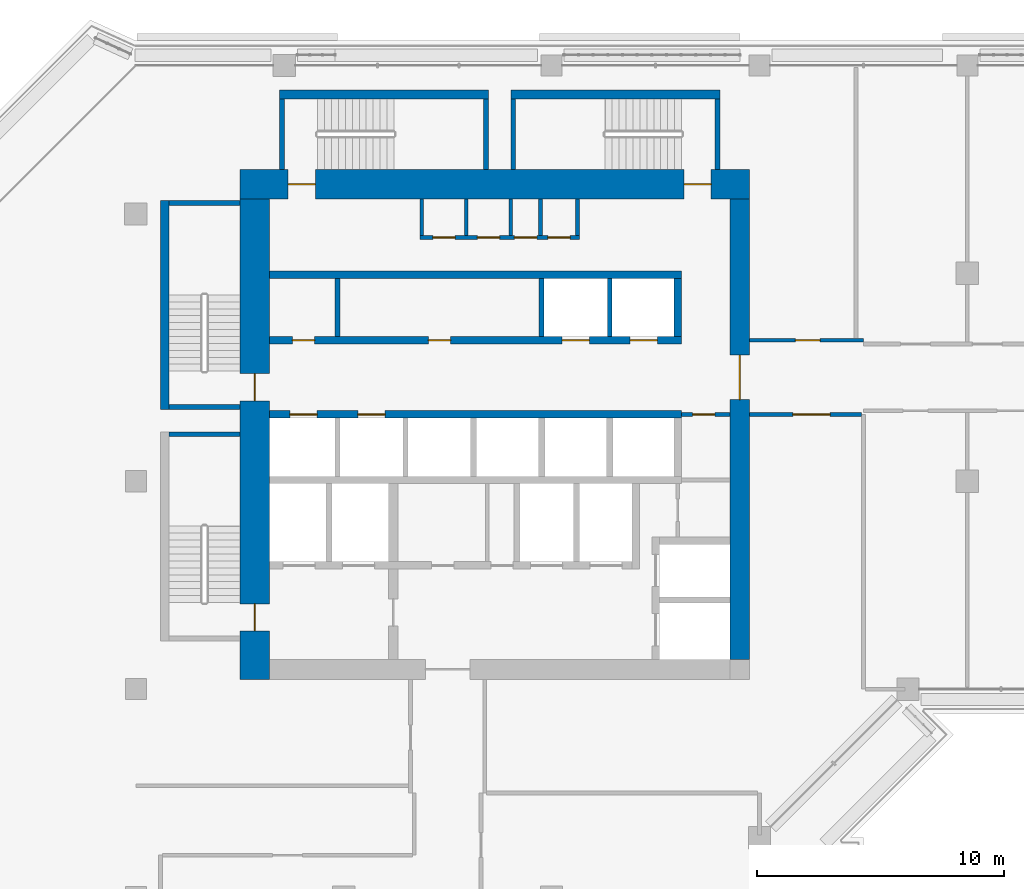
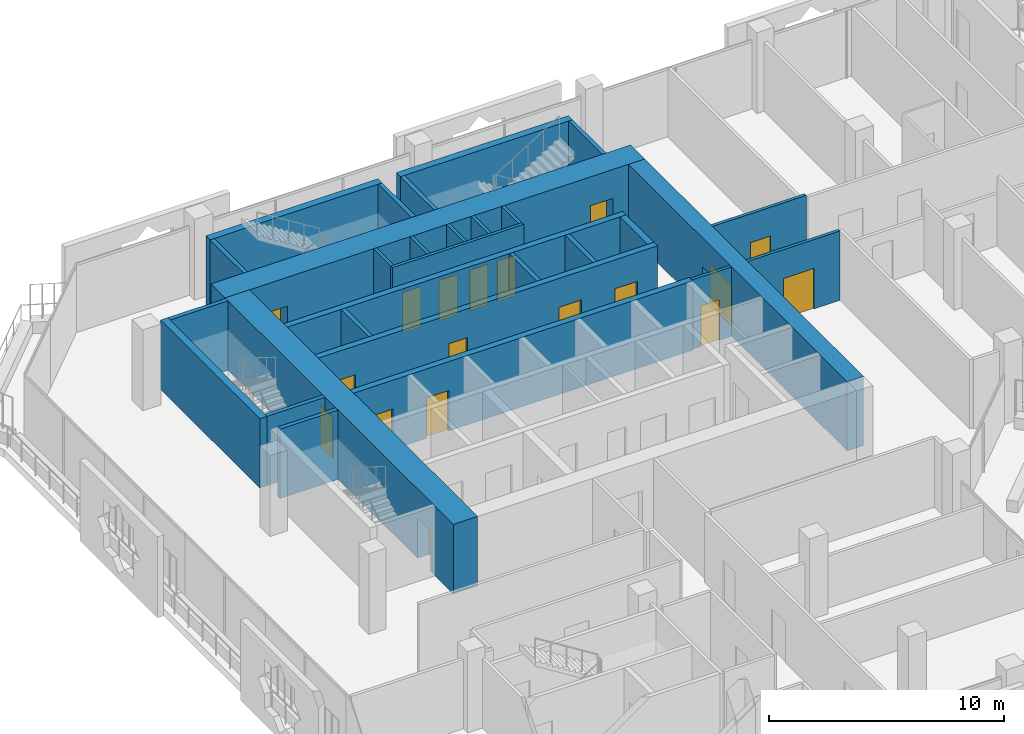
# One storey, part 11 of 21: 29 walls, 18 doors, 18 openings.
"""IFC4 building model written with IfcOpenShell, lengths in metres."""

import ifcopenshell
import ifcopenshell.guid

model = None  # the IFC model being written
_history = None  # IfcOwnerHistory: only IFC2X3 demands one
_inside = {}  # id of a spatial element -> (the spatial element, [elements in it])
_under = {}  # id of a project, library or spatial element -> (it, [spatial elements below it])
_declared = {}  # id of a project -> (the project, [libraries it declares])
_typed = {}  # id of a type object -> (the type object, [elements of that type])
_made_of = {}  # id of a material, layer set ... -> (it, [elements and type objects made of it])


def new_model(schema):
    """Start an empty IFC model of exactly this schema.

    Asked for "IFC4X3", IfcOpenShell would pick the latest addendum, in which some entities
    have other attributes; the version numbers below select the first issue.
    IFC2X3 requires an IfcOwnerHistory on every rooted entity: one is made here for all.
    """
    global model, _history
    if schema == "IFC4X3":
        model = ifcopenshell.file(schema_version=(4, 3, 0, 0))
    else:
        model = ifcopenshell.file(schema=schema)
    _inside.clear()
    _under.clear()
    _declared.clear()
    _typed.clear()
    _made_of.clear()
    _history = None
    if model.schema == "IFC2X3":
        org = make("IfcOrganization", Name="unknown")
        user = make(
            "IfcPersonAndOrganization",
            ThePerson=make("IfcPerson", FamilyName="unknown"),
            TheOrganization=org,
        )
        app = make(
            "IfcApplication",
            ApplicationDeveloper=org,
            Version="unknown",
            ApplicationFullName="unknown",
            ApplicationIdentifier="unknown",
        )
        _history = make(
            "IfcOwnerHistory",
            OwningUser=user,
            OwningApplication=app,
            ChangeAction="ADDED",
            CreationDate=0,
        )
    return model


def make(cls, **values):
    """One entity of the class cls with the attributes given. An attribute that is None is left unset."""
    return model.create_entity(
        cls, **{name: value for name, value in values.items() if value is not None}
    )


def rooted(cls, **values):
    """An entity with a GlobalId (a new one), such as an element, a storey or a relation."""
    return make(cls, GlobalId=ifcopenshell.guid.new(), OwnerHistory=_history, **values)


def si_unit(unit_type, name, prefix=None):
    """IfcSIUnit, for example si_unit("LENGTHUNIT", "METRE", prefix="MILLI")."""
    return make("IfcSIUnit", UnitType=unit_type, Prefix=prefix, Name=name)


def assignment(units):
    """IfcUnitAssignment: the units of a project."""
    return None if units is None else make("IfcUnitAssignment", Units=units)


def point(xyz):
    """IfcCartesianPoint."""
    return None if xyz is None else make("IfcCartesianPoint", Coordinates=xyz)


def direction(xyz):
    """IfcDirection."""
    return None if xyz is None else make("IfcDirection", DirectionRatios=xyz)


def frame(location, z_axis=None, x_axis=None):
    """IfcAxis2Placement3D, a coordinate frame: its origin and axes. An axis left out is left unset."""
    return make(
        "IfcAxis2Placement3D",
        Location=point(location),
        Axis=direction(z_axis),
        RefDirection=direction(x_axis),
    )


def frame_2d(location, x_axis=None):
    """IfcAxis2Placement2D, a coordinate frame in the plane: its origin and x axis."""
    return make(
        "IfcAxis2Placement2D", Location=point(location), RefDirection=direction(x_axis)
    )


def origin():
    """The frame at (0, 0, 0) with its axes left unset."""
    return frame((0.0, 0.0, 0.0))


def place(relative_to, where):
    """IfcLocalPlacement: puts the frame where relative to a parent placement (None: the world)."""
    return make(
        "IfcLocalPlacement", PlacementRelTo=relative_to, RelativePlacement=where
    )


def context(
    kind, dimensions, precision=None, world=None, true_north=None, identifier=None
):
    """IfcGeometricRepresentationContext, for example the 3D "Model" context."""
    return make(
        "IfcGeometricRepresentationContext",
        ContextIdentifier=identifier,
        ContextType=kind,
        CoordinateSpaceDimension=dimensions,
        Precision=precision,
        WorldCoordinateSystem=world,
        TrueNorth=true_north,
    )


def subcontext(parent, identifier, kind, view, scale=None):
    """IfcGeometricRepresentationSubContext, for example "Body" below "Model"."""
    return make(
        "IfcGeometricRepresentationSubContext",
        ContextIdentifier=identifier,
        ContextType=kind,
        ParentContext=parent,
        TargetScale=scale,
        TargetView=view,
    )


def project(units=None, contexts=None):
    """IfcProject with its units and contexts."""
    return rooted(
        "IfcProject",
        Name="project",
        RepresentationContexts=contexts,
        UnitsInContext=assignment(units),
    )


def spatial(cls, under=None, at=None, **own):
    """A site, building, storey or space (cls), placed at a placement, below another one or the project."""
    s = rooted(cls, ObjectPlacement=at, **own)
    if under is not None:
        _under.setdefault(under.id(), (under, []))[1].append(s)
    return s


def profile(cls, at=None, kind="AREA", **sizes):
    """A parametric profile (cls). Its sizes go by their IFC names, for example OverallWidth=200.0."""
    return make(cls, ProfileType=kind, Position=at, **sizes)


def rectangle(**sizes):
    """IfcRectangleProfileDef."""
    return profile("IfcRectangleProfileDef", **sizes)


def extrude(swept, where, along, depth):
    """IfcExtrudedAreaSolid: the profile swept, set in the frame where, extruded along a direction by depth."""
    return make(
        "IfcExtrudedAreaSolid",
        SweptArea=swept,
        Position=where,
        ExtrudedDirection=direction(along),
        Depth=depth,
    )


def shape(context_of_items, identifier, shape_type, items):
    """IfcShapeRepresentation: the items that make up one representation, for example the "Body"."""
    return make(
        "IfcShapeRepresentation",
        ContextOfItems=context_of_items,
        RepresentationIdentifier=identifier,
        RepresentationType=shape_type,
        Items=items,
    )


def material(Name=None, Category=None):
    """IfcMaterial."""
    return make("IfcMaterial", Name=Name, Category=Category)


def layer(
    of_material, thickness, ventilated=None, Name=None, Category=None, Priority=None
):
    """IfcMaterialLayer: one layer of a wall or slab, of a material (None: an air gap)."""
    return make(
        "IfcMaterialLayer",
        Material=of_material,
        LayerThickness=thickness,
        IsVentilated=ventilated,
        Name=Name,
        Category=Category,
        Priority=Priority,
    )


def layer_set(layers, Name=None):
    """IfcMaterialLayerSet."""
    return make("IfcMaterialLayerSet", MaterialLayers=layers, LayerSetName=Name)


def made_of(thing, what):
    """Note that an element or type object is made of a material, layer set ...; save() writes the relation."""
    if what is not None:
        _made_of.setdefault(what.id(), (what, []))[1].append(thing)
    return thing


def type_object(cls, material=None, **own):
    """A type object (cls), such as IfcWallType, which elements share."""
    return made_of(rooted(cls, **own), material)


def element(
    cls,
    number,
    at=None,
    inside=None,
    cuts=None,
    type_object=None,
    material=None,
    context=None,
    identifier="Body",
    shape_type=None,
    held_by="IfcProductDefinitionShape",
    body=None,
    shapes=None,
    **own,
):
    """One element of the class cls, such as IfcWall. Its Tag is "e" and its number.

    at: its placement. inside: the storey or other place that contains it. cuts: it is an
    opening in that element (IfcRelVoidsElement). A single representation is given by context,
    identifier, shape_type and body (its items); several are given by shapes. held_by: the class
    of the entity that holds the representations. save() writes the other relations.
    """
    e = rooted(cls, Tag="e%d" % number, ObjectPlacement=at, **own)
    if body is not None:
        shapes = [shape(context, identifier, shape_type, body)]
    if shapes is not None:
        e.Representation = make(held_by, Representations=shapes)
    if inside is not None:
        _inside.setdefault(inside.id(), (inside, []))[1].append(e)
    if cuts is not None:
        rooted(
            "IfcRelVoidsElement", RelatingBuildingElement=cuts, RelatedOpeningElement=e
        )
    if type_object is not None:
        _typed.setdefault(type_object.id(), (type_object, []))[1].append(e)
    return made_of(e, material)


def fill(opening, filler):
    """IfcRelFillsElement: the door or window that sits in an opening."""
    return rooted(
        "IfcRelFillsElement",
        RelatingOpeningElement=opening,
        RelatedBuildingElement=filler,
    )


def aggregate(whole, parts):
    """IfcRelAggregates: a whole, such as a stair, and the parts it consists of."""
    return rooted("IfcRelAggregates", RelatingObject=whole, RelatedObjects=parts)


def save(model, path):
    """Write the relations noted so far, then the file.

    IfcRelAggregates (storeys below a building ...), IfcRelContainedInSpatialStructure (elements
    in a storey), IfcRelDefinesByType, IfcRelAssociatesMaterial and IfcRelDeclares: one each for
    every whole, place, type object, material and project.
    """
    for whole, parts in _under.values():
        aggregate(whole, parts)
    for where, things in _inside.values():
        rooted(
            "IfcRelContainedInSpatialStructure",
            RelatedElements=things,
            RelatingStructure=where,
        )
    for kind, things in _typed.values():
        rooted("IfcRelDefinesByType", RelatedObjects=things, RelatingType=kind)
    for what, things in _made_of.values():
        rooted("IfcRelAssociatesMaterial", RelatedObjects=things, RelatingMaterial=what)
    for by, libraries in _declared.values():
        rooted("IfcRelDeclares", RelatingContext=by, RelatedDefinitions=libraries)
    model.write(path)


model = new_model("IFC4")

# Units and contexts
model_context = context("Model", 3, precision=1e-05, world=origin(), true_north=direction((0.0, 1.0)))
body_context = subcontext(model_context, "Body", "Model", "MODEL_VIEW")
ifc_project = project(units=[si_unit("LENGTHUNIT", "METRE"), si_unit("AREAUNIT", "SQUARE_METRE"), si_unit("VOLUMEUNIT", "CUBIC_METRE"), si_unit("PLANEANGLEUNIT", "RADIAN"), si_unit("MASSUNIT", "GRAM", prefix="KILO")], contexts=[model_context])

# Site, building, storey
site_placement = place(None, origin())
site = spatial("IfcSite", under=ifc_project, at=site_placement, CompositionType="ELEMENT")
building_placement = place(site_placement, origin())
building = spatial("IfcBuilding", under=site, at=building_placement, Name="Kawkab Arch Medical Tower", CompositionType="ELEMENT")
storey_placement = place(building_placement, frame((0.0, 0.0, 243.199951171875)))
storey = spatial("IfcBuildingStorey", under=building, at=storey_placement, Name="L56", CompositionType="ELEMENT", Elevation=243.199951171875)

# Wall, openings, doors
ifc_material_1 = material(Name="Concrete C50/60", Category="concrete")
ifc_layer_1 = layer(ifc_material_1, 1.199951171875)
ifc_layer_set_1 = layer_set([ifc_layer_1], Name="Concrete C50/60")
wall_type_1 = type_object("IfcWallType", Name="Core ring wall 1200 C50/60", PredefinedType="SHEAR", material=ifc_layer_set_1)
wall_1_placement = place(storey_placement, frame((4.199951171875, -4.800048828125, 0.0), z_axis=(0.0, 0.0, 1.0), x_axis=(1.0, 0.0, 0.0)))
wall_1 = element("IfcWall", 1, at=wall_1_placement, inside=storey, type_object=wall_type_1, Name="L56 core wall", PredefinedType="SHEAR", context=body_context, shape_type="SweptSolid", body=[
    extrude(rectangle(XDim=20.60009765625, YDim=1.199951171875, at=frame_2d((10.300048828125, 0.0))), origin(), (0.0, 0.0, 1.0), 3.60009765625),
])
opening_1_placement = place(wall_1_placement, frame((1.949951171875, 0.0, 0.0)))
opening_1 = element("IfcOpeningElement", 2, at=opening_1_placement, cuts=wall_1, Name="Opening SD", PredefinedType="OPENING", context=body_context, shape_type="SweptSolid", body=[
    extrude(rectangle(XDim=1.10009765625, YDim=2.10009765625, at=frame_2d((0.550048828125, 1.050048828125))), frame((0.0, 0.60986328125, 0.0), z_axis=(0.0, -1.0, 0.0), x_axis=(1.0, 0.0, 0.0)), (0.0, 0.0, 1.0), 1.219970703125),
])
opening_2_placement = place(wall_1_placement, frame((17.949951171875, 0.0, 0.0)))
opening_2 = element("IfcOpeningElement", 3, at=opening_2_placement, cuts=wall_1, Name="Opening SD", PredefinedType="OPENING", context=body_context, shape_type="SweptSolid", body=[
    extrude(rectangle(XDim=1.10009765625, YDim=2.10009765625, at=frame_2d((0.550048828125, 1.050048828125))), frame((0.0, 0.60986328125, 0.0), z_axis=(0.0, -1.0, 0.0), x_axis=(1.0, 0.0, 0.0)), (0.0, 0.0, 1.0), 1.219970703125),
])
ifc_material_2 = material(Name="Hollow metal fire door leaf")
door_type_1 = type_object("IfcDoorType", Name="Exit stair door 1100", OperationType="SINGLE_SWING_LEFT", PredefinedType="DOOR", material=ifc_material_2)
door_1_placement = place(opening_1_placement, origin())
door_1 = element("IfcDoor", 4, at=door_1_placement, inside=storey, type_object=door_type_1, Name="L56 Exit stair ST3 door", OperationType="SINGLE_SWING_LEFT", OverallHeight=2.10009765625, OverallWidth=1.10009765625, PredefinedType="DOOR", context=body_context, shape_type="SweptSolid", body=[
    extrude(rectangle(XDim=1.10009765625, YDim=2.10009765625, at=frame_2d((0.550048828125, 1.050048828125))), frame((0.0, 0.02490234375, 0.0), z_axis=(0.0, -1.0, 0.0), x_axis=(1.0, 0.0, 0.0)), (0.0, 0.0, 1.0), 0.050048828125),
])
fill(opening_1, door_1)
door_2_placement = place(opening_2_placement, origin())
door_2 = element("IfcDoor", 5, at=door_2_placement, inside=storey, type_object=door_type_1, Name="L56 Exit stair ST4 door", OperationType="SINGLE_SWING_LEFT", OverallHeight=2.10009765625, OverallWidth=1.10009765625, PredefinedType="DOOR", context=body_context, shape_type="SweptSolid", body=[
    extrude(rectangle(XDim=1.10009765625, YDim=2.10009765625, at=frame_2d((0.550048828125, 1.050048828125))), frame((0.0, 0.02490234375, 0.0), z_axis=(0.0, -1.0, 0.0), x_axis=(1.0, 0.0, 0.0)), (0.0, 0.0, 1.0), 0.050048828125),
])
fill(opening_2, door_2)

wall_2_placement = place(storey_placement, frame((4.800048828125, -24.800048828125, 0.0), z_axis=(0.0, 0.0, 1.0), x_axis=(0.0, 1.0, 0.0)))
wall_2 = element("IfcWall", 6, at=wall_2_placement, inside=storey, type_object=wall_type_1, Name="L56 core wall", PredefinedType="SHEAR", context=body_context, shape_type="SweptSolid", body=[
    extrude(rectangle(XDim=19.400146484375, YDim=1.199951171875, at=frame_2d((9.7001953125, 0.0))), origin(), (0.0, 0.0, 1.0), 3.60009765625),
])
opening_3_placement = place(wall_2_placement, frame((11.25, 0.0, 0.0)))
opening_3 = element("IfcOpeningElement", 7, at=opening_3_placement, cuts=wall_2, Name="Opening SD", PredefinedType="OPENING", context=body_context, shape_type="SweptSolid", body=[
    extrude(rectangle(XDim=1.10009765625, YDim=2.10009765625, at=frame_2d((0.550048828125, 1.050048828125))), frame((0.0, 0.60986328125, 0.0), z_axis=(0.0, -1.0, 0.0), x_axis=(1.0, 0.0, 0.0)), (0.0, 0.0, 1.0), 1.219970703125),
])
opening_4_placement = place(wall_2_placement, frame((1.949951171875, 0.0, 0.0)))
opening_4 = element("IfcOpeningElement", 8, at=opening_4_placement, cuts=wall_2, Name="Opening SD", PredefinedType="OPENING", context=body_context, shape_type="SweptSolid", body=[
    extrude(rectangle(XDim=1.10009765625, YDim=2.10009765625, at=frame_2d((0.550048828125, 1.050048828125))), frame((0.0, 0.60986328125, 0.0), z_axis=(0.0, -1.0, 0.0), x_axis=(1.0, 0.0, 0.0)), (0.0, 0.0, 1.0), 1.219970703125),
])
door_3_placement = place(opening_3_placement, origin())
door_3 = element("IfcDoor", 9, at=door_3_placement, inside=storey, type_object=door_type_1, Name="L56 Exit stair ST1 door", OperationType="SINGLE_SWING_LEFT", OverallHeight=2.10009765625, OverallWidth=1.10009765625, PredefinedType="DOOR", context=body_context, shape_type="SweptSolid", body=[
    extrude(rectangle(XDim=1.10009765625, YDim=2.10009765625, at=frame_2d((0.550048828125, 1.050048828125))), frame((0.0, 0.02490234375, 0.0), z_axis=(0.0, -1.0, 0.0), x_axis=(1.0, 0.0, 0.0)), (0.0, 0.0, 1.0), 0.050048828125),
])
fill(opening_3, door_3)
door_4_placement = place(opening_4_placement, origin())
door_4 = element("IfcDoor", 10, at=door_4_placement, inside=storey, type_object=door_type_1, Name="L56 Exit stair ST2 door", OperationType="SINGLE_SWING_LEFT", OverallHeight=2.10009765625, OverallWidth=1.10009765625, PredefinedType="DOOR", context=body_context, shape_type="SweptSolid", body=[
    extrude(rectangle(XDim=1.10009765625, YDim=2.10009765625, at=frame_2d((0.550048828125, 1.050048828125))), frame((0.0, 0.02490234375, 0.0), z_axis=(0.0, -1.0, 0.0), x_axis=(1.0, 0.0, 0.0)), (0.0, 0.0, 1.0), 0.050048828125),
])
fill(opening_4, door_4)

# Wall, opening, door
ifc_material_3 = material(Name="Concrete C50/60", Category="concrete")
ifc_layer_2 = layer(ifc_material_3, 0.800048828125)
ifc_layer_set_2 = layer_set([ifc_layer_2], Name="Concrete C50/60")
wall_type_2 = type_object("IfcWallType", Name="Core ring wall 800 C50/60", PredefinedType="SHEAR", material=ifc_layer_set_2)
wall_3_placement = place(storey_placement, frame((24.39990234375, -24.0, 0.0), z_axis=(0.0, 0.0, 1.0), x_axis=(0.0, 1.0, 0.0)))
wall_3 = element("IfcWall", 11, at=wall_3_placement, inside=storey, type_object=wall_type_2, Name="L56 core wall", PredefinedType="SHEAR", context=body_context, shape_type="SweptSolid", body=[
    extrude(rectangle(XDim=18.60009765625, YDim=0.800048828125, at=frame_2d((9.300048828125, 0.0))), origin(), (0.0, 0.0, 1.0), 3.60009765625),
])
opening_5_placement = place(wall_3_placement, frame((10.5, 0.0, 0.0)))
opening_5 = element("IfcOpeningElement", 12, at=opening_5_placement, cuts=wall_3, Name="Opening PD", PredefinedType="OPENING", context=body_context, shape_type="SweptSolid", body=[
    extrude(rectangle(XDim=1.800048828125, YDim=2.10009765625, at=frame_2d((0.89990234375, 1.050048828125))), frame((0.0, 0.409912109375, 0.0), z_axis=(0.0, -1.0, 0.0), x_axis=(1.0, 0.0, 0.0)), (0.0, 0.0, 1.0), 0.820068359375),
])
ifc_material_4 = material(Name="Hollow metal fire door leaf")
door_type_2 = type_object("IfcDoorType", Name="Core entrance doors 1800", OperationType="DOUBLE_DOOR_SINGLE_SWING", PredefinedType="DOOR", material=ifc_material_4)
door_5_placement = place(opening_5_placement, origin())
door_5 = element("IfcDoor", 13, at=door_5_placement, inside=storey, type_object=door_type_2, Name="L56 East entrance doors", OperationType="DOUBLE_DOOR_SINGLE_SWING", OverallHeight=2.10009765625, OverallWidth=1.800048828125, PredefinedType="DOOR", context=body_context, shape_type="SweptSolid", body=[
    extrude(rectangle(XDim=1.800048828125, YDim=2.10009765625, at=frame_2d((0.89990234375, 1.050048828125))), frame((0.0, 0.02490234375, 0.0), z_axis=(0.0, -1.0, 0.0), x_axis=(1.0, 0.0, 0.0)), (0.0, 0.0, 1.0), 0.050048828125),
])
fill(opening_5, door_5)

ifc_material_5 = material(Name="Gypsum board on steel studs", Category="steel")
ifc_layer_3 = layer(ifc_material_5, 0.14990234375)
ifc_layer_set_3 = layer_set([ifc_layer_3], Name="Gypsum board on steel studs")
wall_type_3 = type_object("IfcWallType", Name="Core room partition 150", PredefinedType="PARTITIONING", material=ifc_layer_set_3)
wall_4_placement = place(storey_placement, frame((22.050048828125, -14.10009765625, 0.0), z_axis=(0.0, 0.0, 1.0), x_axis=(1.0, 0.0, 0.0)))
wall_4 = element("IfcWall", 14, at=wall_4_placement, inside=storey, type_object=wall_type_3, Name="L56 core room partition", PredefinedType="PARTITIONING", context=body_context, shape_type="SweptSolid", body=[
    extrude(rectangle(XDim=1.949951171875, YDim=0.14990234375, at=frame_2d((0.97509765625, 0.0))), origin(), (0.0, 0.0, 1.0), 3.60009765625),
])
opening_6_placement = place(wall_4_placement, frame((0.449951171875, 0.0, 0.0)))
opening_6 = element("IfcOpeningElement", 15, at=opening_6_placement, cuts=wall_4, Name="Opening RD", PredefinedType="OPENING", context=body_context, shape_type="SweptSolid", body=[
    extrude(rectangle(XDim=0.89990234375, YDim=2.10009765625, at=frame_2d((0.449951171875, 1.050048828125))), frame((0.0, 0.0849609375, 0.0), z_axis=(0.0, -1.0, 0.0), x_axis=(1.0, 0.0, 0.0)), (0.0, 0.0, 1.0), 0.169921875),
])
ifc_material_6 = material(Name="Hollow metal fire door leaf")
door_type_3 = type_object("IfcDoorType", Name="Core room door 900", OperationType="SINGLE_SWING_LEFT", PredefinedType="DOOR", material=ifc_material_6)
door_6_placement = place(opening_6_placement, origin())
door_6 = element("IfcDoor", 16, at=door_6_placement, inside=storey, type_object=door_type_3, Name="L56 UPS room door", OperationType="SINGLE_SWING_LEFT", OverallHeight=2.10009765625, OverallWidth=0.89990234375, PredefinedType="DOOR", context=body_context, shape_type="SweptSolid", body=[
    extrude(rectangle(XDim=0.89990234375, YDim=2.10009765625, at=frame_2d((0.449951171875, 1.050048828125))), frame((0.0, 0.02490234375, 0.0), z_axis=(0.0, -1.0, 0.0), x_axis=(1.0, 0.0, 0.0)), (0.0, 0.0, 1.0), 0.050048828125),
])
fill(opening_6, door_6)

# Wall, openings, doors
wall_5_placement = place(storey_placement, frame((11.47509765625, -6.949951171875, 0.0), z_axis=(0.0, 0.0, 1.0), x_axis=(1.0, 0.0, 0.0)))
wall_5 = element("IfcWall", 17, at=wall_5_placement, inside=storey, type_object=wall_type_3, Name="L56 core room partition", PredefinedType="PARTITIONING", context=body_context, shape_type="SweptSolid", body=[
    extrude(rectangle(XDim=6.449951171875, YDim=0.14990234375, at=frame_2d((3.22509765625, 0.0))), origin(), (0.0, 0.0, 1.0), 3.60009765625),
])
opening_7_placement = place(wall_5_placement, frame((0.52490234375, 0.0, 0.0)))
opening_7 = element("IfcOpeningElement", 18, at=opening_7_placement, cuts=wall_5, Name="Opening RD", PredefinedType="OPENING", context=body_context, shape_type="SweptSolid", body=[
    extrude(rectangle(XDim=0.89990234375, YDim=2.10009765625, at=frame_2d((0.449951171875, 1.050048828125))), frame((0.0, 0.0849609375, 0.0), z_axis=(0.0, -1.0, 0.0), x_axis=(1.0, 0.0, 0.0)), (0.0, 0.0, 1.0), 0.169921875),
])
opening_8_placement = place(wall_5_placement, frame((2.324951171875, 0.0, 0.0)))
opening_8 = element("IfcOpeningElement", 19, at=opening_8_placement, cuts=wall_5, Name="Opening RD", PredefinedType="OPENING", context=body_context, shape_type="SweptSolid", body=[
    extrude(rectangle(XDim=0.89990234375, YDim=2.10009765625, at=frame_2d((0.449951171875, 1.050048828125))), frame((0.0, 0.0849609375, 0.0), z_axis=(0.0, -1.0, 0.0), x_axis=(1.0, 0.0, 0.0)), (0.0, 0.0, 1.0), 0.169921875),
])
opening_9_placement = place(wall_5_placement, frame((3.824951171875, 0.0, 0.0)))
opening_9 = element("IfcOpeningElement", 20, at=opening_9_placement, cuts=wall_5, Name="Opening RD", PredefinedType="OPENING", context=body_context, shape_type="SweptSolid", body=[
    extrude(rectangle(XDim=0.89990234375, YDim=2.10009765625, at=frame_2d((0.449951171875, 1.050048828125))), frame((0.0, 0.0849609375, 0.0), z_axis=(0.0, -1.0, 0.0), x_axis=(1.0, 0.0, 0.0)), (0.0, 0.0, 1.0), 0.169921875),
])
opening_10_placement = place(wall_5_placement, frame((5.175048828125, 0.0, 0.0)))
opening_10 = element("IfcOpeningElement", 21, at=opening_10_placement, cuts=wall_5, Name="Opening RD", PredefinedType="OPENING", context=body_context, shape_type="SweptSolid", body=[
    extrude(rectangle(XDim=0.89990234375, YDim=2.10009765625, at=frame_2d((0.449951171875, 1.050048828125))), frame((0.0, 0.0849609375, 0.0), z_axis=(0.0, -1.0, 0.0), x_axis=(1.0, 0.0, 0.0)), (0.0, 0.0, 1.0), 0.169921875),
])
door_7_placement = place(opening_7_placement, origin())
door_7 = element("IfcDoor", 22, at=door_7_placement, inside=storey, type_object=door_type_3, Name="L56 Linen store door", OperationType="SINGLE_SWING_LEFT", OverallHeight=2.10009765625, OverallWidth=0.89990234375, PredefinedType="DOOR", context=body_context, shape_type="SweptSolid", body=[
    extrude(rectangle(XDim=0.89990234375, YDim=2.10009765625, at=frame_2d((0.449951171875, 1.050048828125))), frame((0.0, 0.02490234375, 0.0), z_axis=(0.0, -1.0, 0.0), x_axis=(1.0, 0.0, 0.0)), (0.0, 0.0, 1.0), 0.050048828125),
])
fill(opening_7, door_7)
door_8_placement = place(opening_8_placement, origin())
door_8 = element("IfcDoor", 23, at=door_8_placement, inside=storey, type_object=door_type_3, Name="L56 Comms room door", OperationType="SINGLE_SWING_LEFT", OverallHeight=2.10009765625, OverallWidth=0.89990234375, PredefinedType="DOOR", context=body_context, shape_type="SweptSolid", body=[
    extrude(rectangle(XDim=0.89990234375, YDim=2.10009765625, at=frame_2d((0.449951171875, 1.050048828125))), frame((0.0, 0.02490234375, 0.0), z_axis=(0.0, -1.0, 0.0), x_axis=(1.0, 0.0, 0.0)), (0.0, 0.0, 1.0), 0.050048828125),
])
fill(opening_8, door_8)
door_9_placement = place(opening_9_placement, origin())
door_9 = element("IfcDoor", 24, at=door_9_placement, inside=storey, type_object=door_type_3, Name="L56 Electrical riser room door", OperationType="SINGLE_SWING_LEFT", OverallHeight=2.10009765625, OverallWidth=0.89990234375, PredefinedType="DOOR", context=body_context, shape_type="SweptSolid", body=[
    extrude(rectangle(XDim=0.89990234375, YDim=2.10009765625, at=frame_2d((0.449951171875, 1.050048828125))), frame((0.0, 0.02490234375, 0.0), z_axis=(0.0, -1.0, 0.0), x_axis=(1.0, 0.0, 0.0)), (0.0, 0.0, 1.0), 0.050048828125),
])
fill(opening_9, door_9)
door_10_placement = place(opening_10_placement, origin())
door_10 = element("IfcDoor", 25, at=door_10_placement, inside=storey, type_object=door_type_3, Name="L56 Ward pantry door", OperationType="SINGLE_SWING_LEFT", OverallHeight=2.10009765625, OverallWidth=0.89990234375, PredefinedType="DOOR", context=body_context, shape_type="SweptSolid", body=[
    extrude(rectangle(XDim=0.89990234375, YDim=2.10009765625, at=frame_2d((0.449951171875, 1.050048828125))), frame((0.0, 0.02490234375, 0.0), z_axis=(0.0, -1.0, 0.0), x_axis=(1.0, 0.0, 0.0)), (0.0, 0.0, 1.0), 0.050048828125),
])
fill(opening_10, door_10)

# Walls
for number, where, z_axis, x_axis, name in (
    (26, (11.550048828125, -6.875, 0.0), (0.0, 0.0, 1.0), (0.0, 1.0, 0.0), "L56 core room partition"),
    (27, (13.35009765625, -6.875, 0.0), (0.0, 0.0, 1.0), (0.0, 1.0, 0.0), "L56 core room partition"),
    (28, (15.14990234375, -6.875, 0.0), (0.0, 0.0, 1.0), (0.0, 1.0, 0.0), "L56 core room partition"),
    (29, (16.35009765625, -6.875, 0.0), (0.0, 0.0, 1.0), (0.0, 1.0, 0.0), "L56 core room partition"),
    (30, (17.85009765625, -6.875, 0.0), (0.0, 0.0, 1.0), (0.0, 1.0, 0.0), "L56 core room partition"),
):
    element("IfcWall", number, at=place(storey_placement, frame(where, z_axis=z_axis, x_axis=x_axis)), inside=storey, type_object=wall_type_3, Name=name, PredefinedType="PARTITIONING", context=body_context, shape_type="SweptSolid", body=[
        extrude(rectangle(XDim=1.47509765625, YDim=0.14990234375, at=frame_2d((0.737548828125, 0.0))), origin(), (0.0, 0.0, 1.0), 3.60009765625),
    ])
ifc_material_7 = material(Name="Concrete C60/75", Category="concrete")
ifc_layer_4 = layer(ifc_material_7, 0.300048828125)
ifc_layer_set_4 = layer_set([ifc_layer_4], Name="Concrete C60/75")
wall_type_4 = type_object("IfcWallType", Name="Core shear wall 300 C60/75", PredefinedType="SHEAR", material=ifc_layer_set_4)
wall_6_placement = place(storey_placement, frame((5.39990234375, -8.449951171875, 0.0), z_axis=(0.0, 0.0, 1.0), x_axis=(1.0, 0.0, 0.0)))
element("IfcWall", 31, at=wall_6_placement, inside=storey, type_object=wall_type_4, Name="L56 core shear wall", PredefinedType="SHEAR", context=body_context, shape_type="SweptSolid", body=[
    extrude(rectangle(XDim=16.650146484375, YDim=0.300048828125, at=frame_2d((8.3251953125, 0.0))), origin(), (0.0, 0.0, 1.0), 3.60009765625),
])

# Wall, openings, doors
wall_7_placement = place(storey_placement, frame((5.39990234375, -11.10009765625, 0.0), z_axis=(0.0, 0.0, 1.0), x_axis=(1.0, 0.0, 0.0)))
wall_7 = element("IfcWall", 32, at=wall_7_placement, inside=storey, type_object=wall_type_4, Name="L56 core shear wall", PredefinedType="SHEAR", context=body_context, shape_type="SweptSolid", body=[
    extrude(rectangle(XDim=16.650146484375, YDim=0.300048828125, at=frame_2d((8.3251953125, 0.0))), origin(), (0.0, 0.0, 1.0), 3.60009765625),
])
opening_11_placement = place(wall_7_placement, frame((11.824951171875, 0.0, 0.0)))
opening_11 = element("IfcOpeningElement", 33, at=opening_11_placement, cuts=wall_7, Name="Opening LD1", PredefinedType="OPENING", context=body_context, shape_type="SweptSolid", body=[
    extrude(rectangle(XDim=1.10009765625, YDim=2.10009765625, at=frame_2d((0.550048828125, 1.050048828125))), frame((0.0, 0.159912109375, 0.0), z_axis=(0.0, -1.0, 0.0), x_axis=(1.0, 0.0, 0.0)), (0.0, 0.0, 1.0), 0.320068359375),
])
opening_12_placement = place(wall_7_placement, frame((14.574951171875, 0.0, 0.0)))
opening_12 = element("IfcOpeningElement", 34, at=opening_12_placement, cuts=wall_7, Name="Opening LD1", PredefinedType="OPENING", context=body_context, shape_type="SweptSolid", body=[
    extrude(rectangle(XDim=1.10009765625, YDim=2.10009765625, at=frame_2d((0.550048828125, 1.050048828125))), frame((0.0, 0.159912109375, 0.0), z_axis=(0.0, -1.0, 0.0), x_axis=(1.0, 0.0, 0.0)), (0.0, 0.0, 1.0), 0.320068359375),
])
opening_13_placement = place(wall_7_placement, frame((0.925048828125, 0.0, 0.0)))
opening_13 = element("IfcOpeningElement", 35, at=opening_13_placement, cuts=wall_7, Name="Opening RD", PredefinedType="OPENING", context=body_context, shape_type="SweptSolid", body=[
    extrude(rectangle(XDim=0.89990234375, YDim=2.10009765625, at=frame_2d((0.449951171875, 1.050048828125))), frame((0.0, 0.159912109375, 0.0), z_axis=(0.0, -1.0, 0.0), x_axis=(1.0, 0.0, 0.0)), (0.0, 0.0, 1.0), 0.320068359375),
])
opening_14_placement = place(wall_7_placement, frame((6.425048828125, 0.0, 0.0)))
opening_14 = element("IfcOpeningElement", 36, at=opening_14_placement, cuts=wall_7, Name="Opening RD", PredefinedType="OPENING", context=body_context, shape_type="SweptSolid", body=[
    extrude(rectangle(XDim=0.89990234375, YDim=2.10009765625, at=frame_2d((0.449951171875, 1.050048828125))), frame((0.0, 0.159912109375, 0.0), z_axis=(0.0, -1.0, 0.0), x_axis=(1.0, 0.0, 0.0)), (0.0, 0.0, 1.0), 0.320068359375),
])
door_11_placement = place(opening_13_placement, origin())
door_11 = element("IfcDoor", 37, at=door_11_placement, inside=storey, type_object=door_type_3, Name="L56 Linen store door", OperationType="SINGLE_SWING_LEFT", OverallHeight=2.10009765625, OverallWidth=0.89990234375, PredefinedType="DOOR", context=body_context, shape_type="SweptSolid", body=[
    extrude(rectangle(XDim=0.89990234375, YDim=2.10009765625, at=frame_2d((0.449951171875, 1.050048828125))), frame((0.0, 0.02490234375, 0.0), z_axis=(0.0, -1.0, 0.0), x_axis=(1.0, 0.0, 0.0)), (0.0, 0.0, 1.0), 0.050048828125),
])
fill(opening_13, door_11)
door_12_placement = place(opening_14_placement, origin())
door_12 = element("IfcDoor", 38, at=door_12_placement, inside=storey, type_object=door_type_3, Name="L56 Housekeeping store door", OperationType="SINGLE_SWING_LEFT", OverallHeight=2.10009765625, OverallWidth=0.89990234375, PredefinedType="DOOR", context=body_context, shape_type="SweptSolid", body=[
    extrude(rectangle(XDim=0.89990234375, YDim=2.10009765625, at=frame_2d((0.449951171875, 1.050048828125))), frame((0.0, 0.02490234375, 0.0), z_axis=(0.0, -1.0, 0.0), x_axis=(1.0, 0.0, 0.0)), (0.0, 0.0, 1.0), 0.050048828125),
])
fill(opening_14, door_12)
ifc_material_8 = material(Name="Stainless steel lift door leaf", Category="steel")
door_type_4 = type_object("IfcDoorType", Name="Lift landing door 1100", OperationType="DOUBLE_DOOR_SLIDING", PredefinedType="DOOR", material=ifc_material_8)
door_13_placement = place(opening_11_placement, origin())
door_13 = element("IfcDoor", 39, at=door_13_placement, inside=storey, type_object=door_type_4, Name="L56 Lift landing door MP1", OperationType="DOUBLE_DOOR_SLIDING", OverallHeight=2.10009765625, OverallWidth=1.10009765625, PredefinedType="DOOR", context=body_context, shape_type="SweptSolid", body=[
    extrude(rectangle(XDim=1.10009765625, YDim=2.10009765625, at=frame_2d((0.550048828125, 1.050048828125))), frame((0.0, 0.02490234375, 0.0), z_axis=(0.0, -1.0, 0.0), x_axis=(1.0, 0.0, 0.0)), (0.0, 0.0, 1.0), 0.050048828125),
])
fill(opening_11, door_13)
door_14_placement = place(opening_12_placement, origin())
door_14 = element("IfcDoor", 40, at=door_14_placement, inside=storey, type_object=door_type_4, Name="L56 Lift landing door MP2", OperationType="DOUBLE_DOOR_SLIDING", OverallHeight=2.10009765625, OverallWidth=1.10009765625, PredefinedType="DOOR", context=body_context, shape_type="SweptSolid", body=[
    extrude(rectangle(XDim=1.10009765625, YDim=2.10009765625, at=frame_2d((0.550048828125, 1.050048828125))), frame((0.0, 0.02490234375, 0.0), z_axis=(0.0, -1.0, 0.0), x_axis=(1.0, 0.0, 0.0)), (0.0, 0.0, 1.0), 0.050048828125),
])
fill(opening_12, door_14)

wall_8_placement = place(storey_placement, frame((5.39990234375, -14.10009765625, 0.0), z_axis=(0.0, 0.0, 1.0), x_axis=(1.0, 0.0, 0.0)))
wall_8 = element("IfcWall", 41, at=wall_8_placement, inside=storey, type_object=wall_type_4, Name="L56 core shear wall", PredefinedType="SHEAR", context=body_context, shape_type="SweptSolid", body=[
    extrude(rectangle(XDim=16.650146484375, YDim=0.300048828125, at=frame_2d((8.3251953125, 0.0))), origin(), (0.0, 0.0, 1.0), 3.60009765625),
])
opening_15_placement = place(wall_8_placement, frame((0.824951171875, 0.0, 0.0)))
opening_15 = element("IfcOpeningElement", 42, at=opening_15_placement, cuts=wall_8, Name="Opening LD1", PredefinedType="OPENING", context=body_context, shape_type="SweptSolid", body=[
    extrude(rectangle(XDim=1.10009765625, YDim=2.10009765625, at=frame_2d((0.550048828125, 1.050048828125))), frame((0.0, 0.159912109375, 0.0), z_axis=(0.0, -1.0, 0.0), x_axis=(1.0, 0.0, 0.0)), (0.0, 0.0, 1.0), 0.320068359375),
])
opening_16_placement = place(wall_8_placement, frame((3.574951171875, 0.0, 0.0)))
opening_16 = element("IfcOpeningElement", 43, at=opening_16_placement, cuts=wall_8, Name="Opening LD1", PredefinedType="OPENING", context=body_context, shape_type="SweptSolid", body=[
    extrude(rectangle(XDim=1.10009765625, YDim=2.10009765625, at=frame_2d((0.550048828125, 1.050048828125))), frame((0.0, 0.159912109375, 0.0), z_axis=(0.0, -1.0, 0.0), x_axis=(1.0, 0.0, 0.0)), (0.0, 0.0, 1.0), 0.320068359375),
])
door_15_placement = place(opening_15_placement, origin())
door_15 = element("IfcDoor", 44, at=door_15_placement, inside=storey, type_object=door_type_4, Name="L56 Lift landing door MP3", OperationType="DOUBLE_DOOR_SLIDING", OverallHeight=2.10009765625, OverallWidth=1.10009765625, PredefinedType="DOOR", context=body_context, shape_type="SweptSolid", body=[
    extrude(rectangle(XDim=1.10009765625, YDim=2.10009765625, at=frame_2d((0.550048828125, 1.050048828125))), frame((0.0, 0.02490234375, 0.0), z_axis=(0.0, -1.0, 0.0), x_axis=(1.0, 0.0, 0.0)), (0.0, 0.0, 1.0), 0.050048828125),
])
fill(opening_15, door_15)
door_16_placement = place(opening_16_placement, origin())
door_16 = element("IfcDoor", 45, at=door_16_placement, inside=storey, type_object=door_type_4, Name="L56 Lift landing door MP4", OperationType="DOUBLE_DOOR_SLIDING", OverallHeight=2.10009765625, OverallWidth=1.10009765625, PredefinedType="DOOR", context=body_context, shape_type="SweptSolid", body=[
    extrude(rectangle(XDim=1.10009765625, YDim=2.10009765625, at=frame_2d((0.550048828125, 1.050048828125))), frame((0.0, 0.02490234375, 0.0), z_axis=(0.0, -1.0, 0.0), x_axis=(1.0, 0.0, 0.0)), (0.0, 0.0, 1.0), 0.050048828125),
])
fill(opening_16, door_16)

# Walls
wall_9_placement = place(storey_placement, frame((21.89990234375, -10.949951171875, 0.0), z_axis=(0.0, 0.0, 1.0), x_axis=(0.0, 1.0, 0.0)))
element("IfcWall", 46, at=wall_9_placement, inside=storey, type_object=wall_type_4, Name="L56 core shear wall", PredefinedType="SHEAR", context=body_context, shape_type="SweptSolid", body=[
    extrude(rectangle(XDim=2.349853515625, YDim=0.300048828125, at=frame_2d((1.1748046875, 0.0))), origin(), (0.0, 0.0, 1.0), 3.60009765625),
])
ifc_material_9 = material(Name="Dense concrete blockwork", Category="masonry")
ifc_layer_5 = layer(ifc_material_9, 0.199951171875)
ifc_layer_set_5 = layer_set([ifc_layer_5], Name="Dense concrete blockwork")
wall_type_5 = type_object("IfcWallType", Name="Lift shaft partition 200", PredefinedType="PARTITIONING", material=ifc_layer_set_5)
for number, where, z_axis, x_axis, name in (
    (47, (8.14990234375, -10.949951171875, 0.0), (0.0, 0.0, 1.0), (0.0, 1.0, 0.0), "L56 lift shaft partition"),
    (48, (16.39990234375, -10.949951171875, 0.0), (0.0, 0.0, 1.0), (0.0, 1.0, 0.0), "L56 lift shaft partition"),
    (49, (19.14990234375, -10.949951171875, 0.0), (0.0, 0.0, 1.0), (0.0, 1.0, 0.0), "L56 lift shaft partition"),
):
    element("IfcWall", number, at=place(storey_placement, frame(where, z_axis=z_axis, x_axis=x_axis)), inside=storey, type_object=wall_type_5, Name=name, PredefinedType="PARTITIONING", context=body_context, shape_type="SweptSolid", body=[
        extrude(rectangle(XDim=2.349853515625, YDim=0.199951171875, at=frame_2d((1.1748046875, 0.0))), origin(), (0.0, 0.0, 1.0), 3.60009765625),
    ])

# Wall, opening, door
ifc_material_10 = material(Name="Gypsum board partition on steel studs, mineral wool", Category="steel")
ifc_layer_6 = layer(ifc_material_10, 0.14990234375)
ifc_layer_set_6 = layer_set([ifc_layer_6], Name="Gypsum board partition on steel studs, mineral wool")
wall_type_6 = type_object("IfcWallType", Name="Partition 150", PredefinedType="PARTITIONING", material=ifc_layer_set_6)
wall_10_placement = place(storey_placement, frame((24.800048828125, -14.10009765625, 0.0), z_axis=(0.0, 0.0, 1.0), x_axis=(1.0, 0.0, 0.0)))
wall_10 = element("IfcWall", 50, at=wall_10_placement, inside=storey, type_object=wall_type_6, Name="Partition 150 w020", PredefinedType="PARTITIONING", context=body_context, shape_type="SweptSolid", body=[
    extrude(rectangle(XDim=4.52490234375, YDim=0.14990234375, at=frame_2d((2.262451171875, 0.0))), origin(), (0.0, 0.0, 1.0), 3.60009765625),
])
opening_17_placement = place(wall_10_placement, frame((1.75, 0.0, 0.0)))
opening_17 = element("IfcOpeningElement", 51, at=opening_17_placement, cuts=wall_10, Name="Opening W56-001", PredefinedType="OPENING", context=body_context, shape_type="SweptSolid", body=[
    extrude(rectangle(XDim=1.5, YDim=2.10009765625, at=frame_2d((0.75, 1.050048828125))), frame((0.0, 0.0849609375, 0.0), z_axis=(0.0, -1.0, 0.0), x_axis=(1.0, 0.0, 0.0)), (0.0, 0.0, 1.0), 0.169921875),
])
ifc_material_11 = material(Name="Hollow metal door leaf")
door_type_5 = type_object("IfcDoorType", Name="Double door 1500x2100 FD30S", OperationType="NOTDEFINED", PredefinedType="DOOR", material=ifc_material_11)
door_17_placement = place(opening_17_placement, origin())
door_17 = element("IfcDoor", 52, at=door_17_placement, inside=storey, type_object=door_type_5, Name="Door W56-001", OperationType="DOUBLE_DOOR_SINGLE_SWING", OverallHeight=2.10009765625, OverallWidth=1.5, PredefinedType="DOOR", context=body_context, shape_type="SweptSolid", body=[
    extrude(rectangle(XDim=1.5, YDim=2.10009765625, at=frame_2d((0.75, 1.050048828125))), frame((0.0, 0.02490234375, 0.0), z_axis=(0.0, -1.0, 0.0), x_axis=(1.0, 0.0, 0.0)), (0.0, 0.0, 1.0), 0.050048828125),
])
fill(opening_17, door_17)

wall_11_placement = place(storey_placement, frame((24.800048828125, -11.10009765625, 0.0), z_axis=(0.0, 0.0, 1.0), x_axis=(1.0, 0.0, 0.0)))
wall_11 = element("IfcWall", 53, at=wall_11_placement, inside=storey, type_object=wall_type_6, Name="Partition 150 w025", PredefinedType="PARTITIONING", context=body_context, shape_type="SweptSolid", body=[
    extrude(rectangle(XDim=4.599853515625, YDim=0.14990234375, at=frame_2d((2.2998046875, 0.0))), origin(), (0.0, 0.0, 1.0), 3.60009765625),
])
opening_18_placement = place(wall_11_placement, frame((1.85009765625, 0.0, 0.0)))
opening_18 = element("IfcOpeningElement", 54, at=opening_18_placement, cuts=wall_11, Name="Opening W56-012", PredefinedType="OPENING", context=body_context, shape_type="SweptSolid", body=[
    extrude(rectangle(XDim=1.0, YDim=2.10009765625, at=frame_2d((0.5, 1.050048828125))), frame((0.0, 0.0849609375, 0.0), z_axis=(0.0, -1.0, 0.0), x_axis=(1.0, 0.0, 0.0)), (0.0, 0.0, 1.0), 0.169921875),
])
ifc_material_12 = material(Name="Hollow metal door leaf")
door_type_6 = type_object("IfcDoorType", Name="Single door 1000x2100 FD30S", OperationType="NOTDEFINED", PredefinedType="DOOR", material=ifc_material_12)
door_18_placement = place(opening_18_placement, origin())
door_18 = element("IfcDoor", 55, at=door_18_placement, inside=storey, type_object=door_type_6, Name="Door W56-012", OperationType="SINGLE_SWING_LEFT", OverallHeight=2.10009765625, OverallWidth=1.0, PredefinedType="DOOR", context=body_context, shape_type="SweptSolid", body=[
    extrude(rectangle(XDim=1.0, YDim=2.10009765625, at=frame_2d((0.5, 1.050048828125))), frame((0.0, 0.02490234375, 0.0), z_axis=(0.0, -1.0, 0.0), x_axis=(1.0, 0.0, 0.0)), (0.0, 0.0, 1.0), 0.050048828125),
])
fill(opening_18, door_18)

# Walls
ifc_material_13 = material(Name="Concrete C50/60", Category="concrete")
ifc_layer_7 = layer(ifc_material_13, 0.199951171875)
ifc_layer_set_7 = layer_set([ifc_layer_7], Name="Concrete C50/60")
wall_type_7 = type_object("IfcWallType", Name="Stair enclosure wall 200 C50/60", PredefinedType="SHEAR", material=ifc_layer_set_7)
for number, where, z_axis, x_axis, name in (
    (56, (1.35009765625, -5.550048828125, 0.0), (0.0, 0.0, 1.0), (1.0, 0.0, 0.0), "L56 stair enclosure wall"),
    (57, (1.35009765625, -13.800048828125, 0.0), (0.0, 0.0, 1.0), (1.0, 0.0, 0.0), "L56 stair enclosure wall"),
    (58, (1.35009765625, -14.89990234375, 0.0), (0.0, 0.0, 1.0), (1.0, 0.0, 0.0), "L56 stair enclosure wall"),
    (59, (5.89990234375, -4.199951171875, 0.0), (0.0, 0.0, 1.0), (0.0, 1.0, 0.0), "L56 stair enclosure wall"),
    (60, (14.14990234375, -4.199951171875, 0.0), (0.0, 0.0, 1.0), (0.0, 1.0, 0.0), "L56 stair enclosure wall"),
    (61, (15.25, -4.199951171875, 0.0), (0.0, 0.0, 1.0), (0.0, 1.0, 0.0), "L56 stair enclosure wall"),
    (62, (23.5, -4.199951171875, 0.0), (0.0, 0.0, 1.0), (0.0, 1.0, 0.0), "L56 stair enclosure wall"),
):
    element("IfcWall", number, at=place(storey_placement, frame(where, z_axis=z_axis, x_axis=x_axis)), inside=storey, type_object=wall_type_7, Name=name, PredefinedType="SHEAR", context=body_context, shape_type="SweptSolid", body=[
        extrude(rectangle(XDim=2.849853515625, YDim=0.199951171875, at=frame_2d((1.4248046875, 0.0))), origin(), (0.0, 0.0, 1.0), 3.60009765625),
    ])
ifc_material_14 = material(Name="Concrete C50/60", Category="concrete")
ifc_layer_8 = layer(ifc_material_14, 0.35009765625)
ifc_layer_set_8 = layer_set([ifc_layer_8], Name="Concrete C50/60")
wall_type_8 = type_object("IfcWallType", Name="Stair enclosure wall 350 C50/60", PredefinedType="SHEAR", material=ifc_layer_set_8)
for number, where, z_axis, x_axis, name in (
    (63, (1.175048828125, -13.89990234375, 0.0), (0.0, 0.0, 1.0), (0.0, 1.0, 0.0), "L56 stair enclosure wall"),
    (64, (5.800048828125, -1.175048828125, 0.0), (0.0, 0.0, 1.0), (1.0, 0.0, 0.0), "L56 stair enclosure wall"),
):
    element("IfcWall", number, at=place(storey_placement, frame(where, z_axis=z_axis, x_axis=x_axis)), inside=storey, type_object=wall_type_8, Name=name, PredefinedType="SHEAR", context=body_context, shape_type="SweptSolid", body=[
        extrude(rectangle(XDim=8.449951171875, YDim=0.35009765625, at=frame_2d((4.22509765625, 0.0))), origin(), (0.0, 0.0, 1.0), 3.60009765625),
    ])
wall_12_placement = place(storey_placement, frame((15.14990234375, -1.175048828125, 0.0), z_axis=(0.0, 0.0, 1.0), x_axis=(1.0, 0.0, 0.0)))
element("IfcWall", 65, at=wall_12_placement, inside=storey, type_object=wall_type_8, Name="L56 stair enclosure wall", PredefinedType="SHEAR", context=body_context, shape_type="SweptSolid", body=[
    extrude(rectangle(XDim=8.4501953125, YDim=0.35009765625, at=frame_2d((4.22509765625, 0.0))), origin(), (0.0, 0.0, 1.0), 3.60009765625),
])

save(model, "model.ifc")
